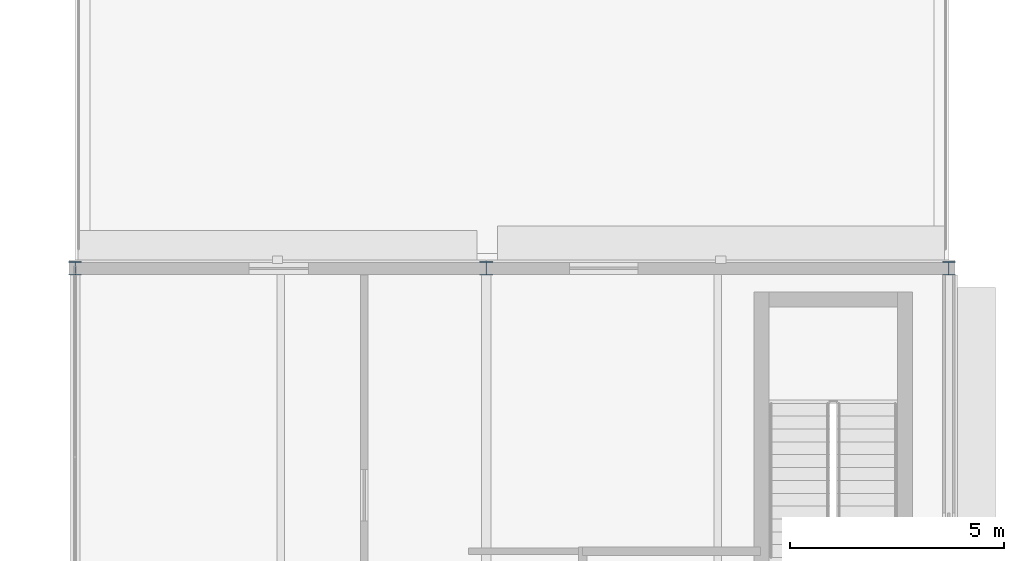
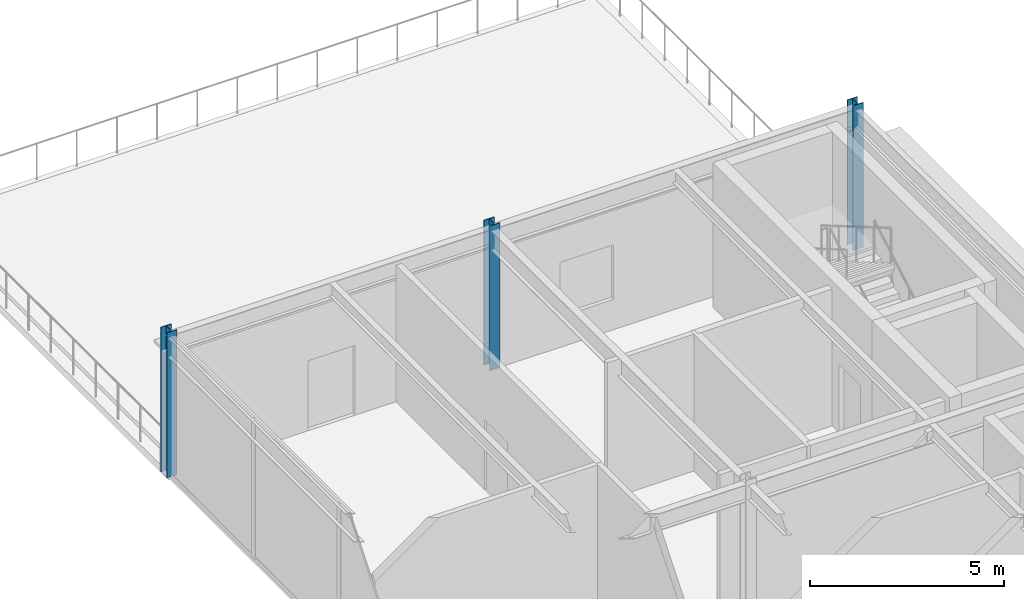
# One storey, part 2 of 18: 3 columns.
"""IFC4 building model written with IfcOpenShell, lengths in metres."""

from ifc_helpers import new_model, si_unit, direction, frame, origin, origin_2d, place, context, subcontext, project, spatial, i_section, extrude, material, material_profile, profile_set, type_object, element, save


model = new_model("IFC4")

# Units and contexts
model_context = context("Model", 3, precision=1e-05, world=origin(), true_north=direction((0.0, 1.0)))
body_context = subcontext(model_context, "Body", "Model", "MODEL_VIEW")
ifc_project = project(units=[si_unit("LENGTHUNIT", "METRE"), si_unit("AREAUNIT", "SQUARE_METRE"), si_unit("VOLUMEUNIT", "CUBIC_METRE"), si_unit("PLANEANGLEUNIT", "RADIAN"), si_unit("MASSUNIT", "GRAM", prefix="KILO")], contexts=[model_context])

# Site, building, storey
site_placement = place(None, origin())
site = spatial("IfcSite", under=ifc_project, at=site_placement, CompositionType="ELEMENT")
building_placement = place(site_placement, origin())
building = spatial("IfcBuilding", under=site, at=building_placement, Name="Almandine Court Research Institute", CompositionType="ELEMENT")
storey_placement = place(building_placement, frame((0.0, 0.0, 37.10009765625)))
storey = spatial("IfcBuildingStorey", under=building, at=storey_placement, Name="L08", CompositionType="ELEMENT", Elevation=37.10009765625)

# Columns
ifc_material = material(Name="Steel ASTM A992 Grade 50", Category="steel")
ifc_material_profile_1 = material_profile(ifc_material, i_section(OverallWidth=0.30810546875, OverallDepth=0.318115234375, WebThickness=0.012939453125, FlangeThickness=0.02099609375, at=origin_2d()), Name="W310x129")
ifc_profile_set_1 = profile_set([ifc_material_profile_1], Name="Steel ASTM A992 Grade 50")
column_type_1 = type_object("IfcColumnType", Name="Col-C-W07", PredefinedType="COLUMN", material=ifc_profile_set_1)
for number, where, z_axis, x_axis, name in (
    (1, (153.60009765625, 57.60009765625, 0.0), (0.0, 0.0, 1.0), (1.0, 0.0, 0.0), "L08 V4 Column V4-X2Y6"),
    (2, (163.199951171875, 57.60009765625, 0.0), (0.0, 0.0, 1.0), (1.0, 0.0, 0.0), "L08 V4 Column V4-X3Y6"),
):
    element("IfcColumn", number, at=place(storey_placement, frame(where, z_axis=z_axis, x_axis=x_axis)), inside=storey, type_object=column_type_1, Name=name, PredefinedType="COLUMN", context=body_context, shape_type="SweptSolid", body=[
        extrude(i_section(OverallWidth=0.30810546875, OverallDepth=0.318115234375, WebThickness=0.012939453125, FlangeThickness=0.02099609375, at=origin_2d()), origin(), (0.0, 0.0, 1.0), 4.5498046875),
    ])
ifc_material_profile_2 = material_profile(ifc_material, i_section(OverallWidth=0.30810546875, OverallDepth=0.318115234375, WebThickness=0.012939453125, FlangeThickness=0.02099609375, at=origin_2d()), Name="W310x129")
ifc_profile_set_2 = profile_set([ifc_material_profile_2], Name="Steel ASTM A992 Grade 50")
column_type_2 = type_object("IfcColumnType", Name="Col-C-W07-E", PredefinedType="COLUMN", material=ifc_profile_set_2)
column_placement = place(storey_placement, frame((174.0, 57.60009765625, 0.0), z_axis=(0.0, 0.0, 1.0), x_axis=(1.0, 0.0, 0.0)))
element("IfcColumn", 3, at=column_placement, inside=storey, type_object=column_type_2, Name="L08 V4 Column V4-X4Y6", PredefinedType="COLUMN", context=body_context, shape_type="SweptSolid", body=[
    extrude(i_section(OverallWidth=0.30810546875, OverallDepth=0.318115234375, WebThickness=0.012939453125, FlangeThickness=0.02099609375, at=origin_2d()), origin(), (0.0, 0.0, 1.0), 4.5498046875),
])

save(model, "model.ifc")
